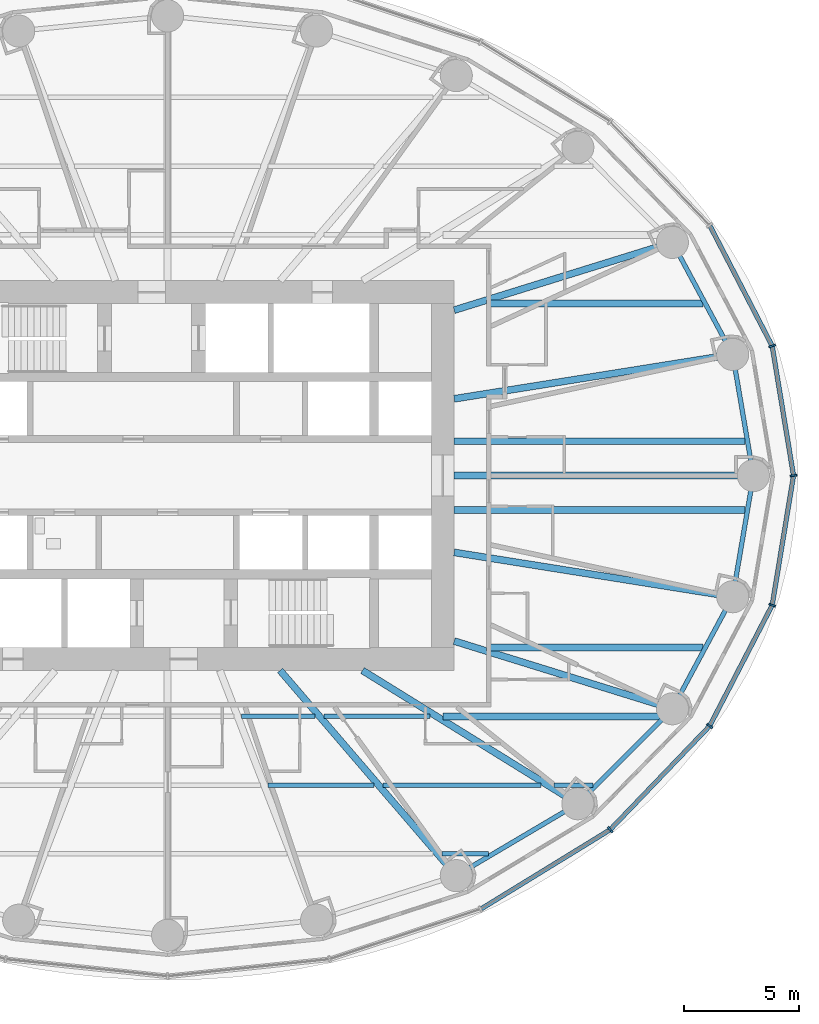
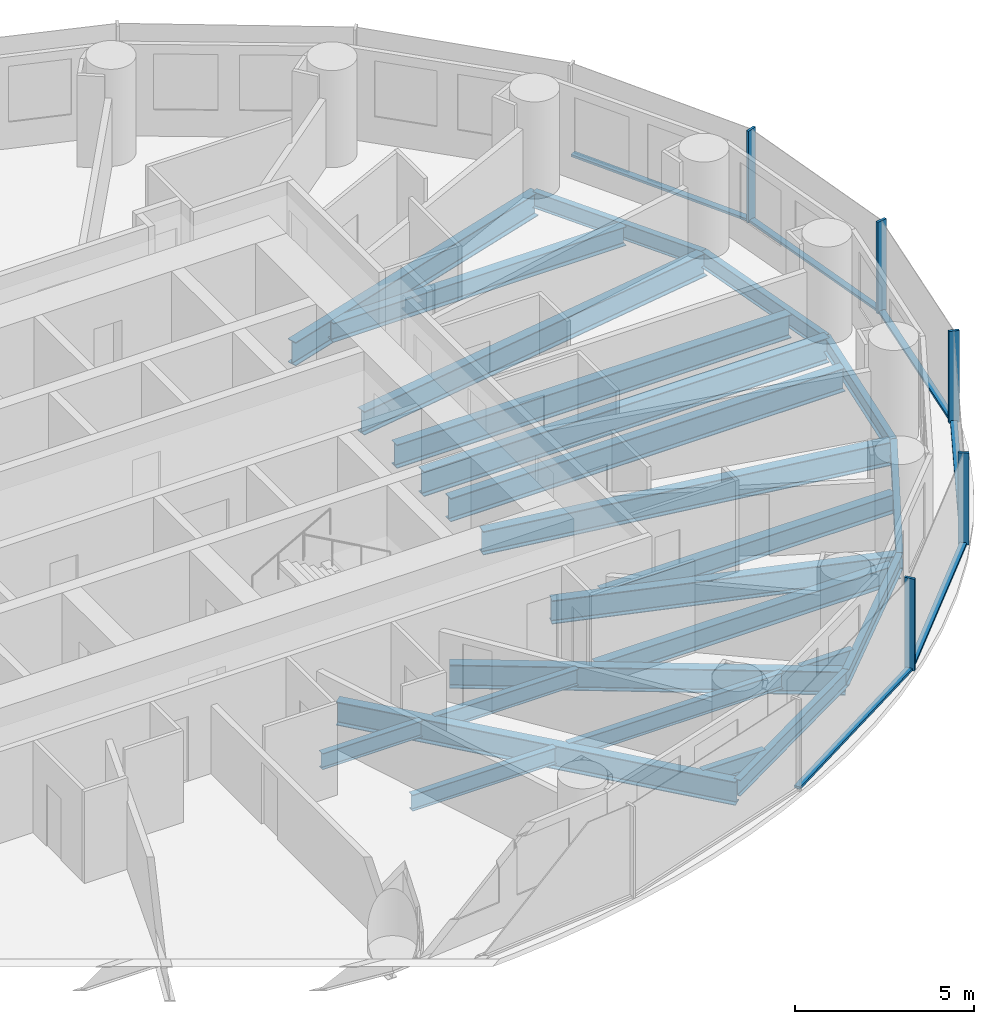
# One storey, part 3 of 16: 24 beams, 11 members, 2 elements without a shape of their own.
"""IFC4 building model written with IfcOpenShell, lengths in metres."""

from ifc_helpers import new_model, si_unit, direction, frame, origin, origin_2d, place, context, subcontext, project, spatial, rectangle, i_section, extrude, material, material_profile, profile_set, type_object, element, aggregate, save


model = new_model("IFC4")

# Units and contexts
model_context = context("Model", 3, precision=1e-05, world=origin(), true_north=direction((0.0, 1.0)))
body_context = subcontext(model_context, "Body", "Model", "MODEL_VIEW")
ifc_project = project(units=[si_unit("LENGTHUNIT", "METRE"), si_unit("AREAUNIT", "SQUARE_METRE"), si_unit("VOLUMEUNIT", "CUBIC_METRE"), si_unit("PLANEANGLEUNIT", "RADIAN"), si_unit("MASSUNIT", "GRAM", prefix="KILO")], contexts=[model_context])

# Site, building, storey
site_placement = place(None, origin())
site = spatial("IfcSite", under=ifc_project, at=site_placement, CompositionType="ELEMENT")
building_placement = place(site_placement, origin())
building = spatial("IfcBuilding", under=site, at=building_placement, Name="Hankou Lantern Tower", CompositionType="ELEMENT")
storey_placement = place(building_placement, frame((0.0, 0.0, 73.800048828125)))
storey = spatial("IfcBuildingStorey", under=building, at=storey_placement, Name="L18", CompositionType="ELEMENT", Elevation=73.800048828125)

# Beams
ifc_material_1 = material(Name="Steel Q355B", Category="steel")
ifc_material_profile_1 = material_profile(ifc_material_1, i_section(OverallWidth=0.199951171875, OverallDepth=0.550048828125, WebThickness=0.010009765625, FlangeThickness=0.01611328125, FilletRadius=0.012939453125, at=origin_2d()), Name="HN550x200x10x16")
ifc_profile_set_1 = profile_set([ifc_material_profile_1], Name="Steel Q355B")
beam_type_1 = type_object("IfcBeamType", Name="EB6 RING BEAM HN550x200x10x16", PredefinedType="SPANDREL", material=ifc_profile_set_1)
beam_1_placement = place(storey_placement, frame((25.550048828125, 0.0, -0.455078125), z_axis=(-0.168489691988, 0.985703415685, 0.0), x_axis=(-0.985703415685, -0.168489691988, 0.0)))
element("IfcBeam", 1, at=beam_1_placement, inside=storey, type_object=beam_type_1, Name="Ring beam R01-R02 L18", PredefinedType="SPANDREL", context=body_context, shape_type="SweptSolid", body=[
    extrude(i_section(OverallWidth=0.199951171875, OverallDepth=0.550048828125, WebThickness=0.010009765625, FlangeThickness=0.01611328125, FilletRadius=0.012939453125, at=origin_2d()), origin(), (0.0, 0.0, 1.0), 5.35986328125),
])
beam_2_placement = place(storey_placement, frame((24.64697265625, 5.283203125, -0.455078125), z_axis=(-0.473609096023, 0.880735161194, 0.0), x_axis=(-0.880735161194, -0.473609096023, 0.0)))
element("IfcBeam", 2, at=beam_2_placement, inside=storey, type_object=beam_type_1, Name="Ring beam R02-R03 L18", PredefinedType="SPANDREL", context=body_context, shape_type="SweptSolid", body=[
    extrude(i_section(OverallWidth=0.199951171875, OverallDepth=0.550048828125, WebThickness=0.010009765625, FlangeThickness=0.01611328125, FilletRadius=0.012939453125, at=origin_2d()), origin(), (0.0, 0.0, 1.0), 5.548828125),
])
beam_3_placement = place(storey_placement, frame((12.5908203125, -17.446533203125, -0.455078125), z_axis=(0.860881533543, 0.508805449268, 0.0), x_axis=(-0.508805449268, 0.860881533543, 0.0)))
element("IfcBeam", 3, at=beam_3_placement, inside=storey, type_object=beam_type_1, Name="Ring beam R21-R22 L18", PredefinedType="SPANDREL", context=body_context, shape_type="SweptSolid", body=[
    extrude(i_section(OverallWidth=0.199951171875, OverallDepth=0.550048828125, WebThickness=0.010009765625, FlangeThickness=0.01611328125, FilletRadius=0.012939453125, at=origin_2d()), origin(), (0.0, 0.0, 1.0), 6.15771484375),
])
beam_4_placement = place(storey_placement, frame((17.891845703125, -14.3134765625, -0.455078125), z_axis=(0.705727798394, 0.708483079949, 0.0), x_axis=(-0.708483079949, 0.705727798394, 0.0)))
element("IfcBeam", 4, at=beam_4_placement, inside=storey, type_object=beam_type_1, Name="Ring beam R22-R23 L18", PredefinedType="SPANDREL", context=body_context, shape_type="SweptSolid", body=[
    extrude(i_section(OverallWidth=0.199951171875, OverallDepth=0.550048828125, WebThickness=0.010009765625, FlangeThickness=0.01611328125, FilletRadius=0.012939453125, at=origin_2d()), origin(), (0.0, 0.0, 1.0), 5.84814453125),
])
beam_5_placement = place(storey_placement, frame((22.01904296875, -10.170166015625, -0.455078125), z_axis=(0.473609096023, 0.880735161194, 0.0), x_axis=(-0.880735161194, 0.473609096023, 0.0)))
element("IfcBeam", 5, at=beam_5_placement, inside=storey, type_object=beam_type_1, Name="Ring beam R23-R24 L18", PredefinedType="SPANDREL", context=body_context, shape_type="SweptSolid", body=[
    extrude(i_section(OverallWidth=0.199951171875, OverallDepth=0.550048828125, WebThickness=0.010009765625, FlangeThickness=0.01611328125, FilletRadius=0.012939453125, at=origin_2d()), origin(), (0.0, 0.0, 1.0), 5.548828125),
])
beam_6_placement = place(storey_placement, frame((24.64697265625, -5.283203125, -0.455078125), z_axis=(0.168489691988, 0.985703415685, 0.0), x_axis=(-0.985703415685, 0.168489691988, 0.0)))
element("IfcBeam", 6, at=beam_6_placement, inside=storey, type_object=beam_type_1, Name="Ring beam R24-R01 L18", PredefinedType="SPANDREL", context=body_context, shape_type="SweptSolid", body=[
    extrude(i_section(OverallWidth=0.199951171875, OverallDepth=0.550048828125, WebThickness=0.010009765625, FlangeThickness=0.01611328125, FilletRadius=0.012939453125, at=origin_2d()), origin(), (0.0, 0.0, 1.0), 5.35986328125),
])

# Curtain wall, members
ifc_material_2 = material(Name="Glass, dark grey tinted laminated", Category="glass")
curtain_wall_type = type_object("IfcCurtainWallType", Name="CWA OUTER SKIN LOW-RISE", PredefinedType="USERDEFINED", material=ifc_material_2)
curtain_wall_1_placement = place(storey_placement, origin())
curtain_wall_1 = element("IfcCurtainWall", 7, at=curtain_wall_1_placement, inside=storey, type_object=curtain_wall_type, Name="CWA L18 OS1", ObjectType="OUTER SKIN LOW-RISE", PredefinedType="USERDEFINED")
ifc_material_3 = material(Name="Aluminium, black anodised", Category="aluminium")
ifc_material_profile_2 = material_profile(ifc_material_3, rectangle(XDim=0.080078125, YDim=0.300048828125, at=origin_2d()), Name="MU1 80X300")
ifc_profile_set_2 = profile_set([ifc_material_profile_2], Name="Aluminium, black anodised")
member_type_1 = type_object("IfcMemberType", Name="MU1 OUTER SKIN MULLION 80X300", PredefinedType="MULLION", material=ifc_profile_set_2)
member_1_placement = place(storey_placement, frame((27.300048828125, 0.0, 0.0), z_axis=(0.0, 0.0, 1.0), x_axis=(-0.162381515188, 0.986728049427, 0.0)))
member_1 = element("IfcMember", 8, at=member_1_placement, type_object=member_type_1, Name="CWA mullion 1", PredefinedType="MULLION", context=body_context, shape_type="SweptSolid", body=[
    extrude(rectangle(XDim=0.080078125, YDim=0.300048828125, at=origin_2d()), origin(), (0.0, 0.0, 1.0), 3.119873046875),
])
member_2_placement = place(storey_placement, frame((26.369873046875, 5.652587890625, 0.0), z_axis=(0.0, 0.0, 1.0), x_axis=(-0.317595577365, 0.94822626479, 0.0)))
member_2 = element("IfcMember", 9, at=member_2_placement, type_object=member_type_1, Name="CWA mullion 2", PredefinedType="MULLION", context=body_context, shape_type="SweptSolid", body=[
    extrude(rectangle(XDim=0.080078125, YDim=0.300048828125, at=origin_2d()), origin(), (0.0, 0.0, 1.0), 3.119873046875),
])

curtain_wall_2_placement = place(storey_placement, origin())
curtain_wall_2 = element("IfcCurtainWall", 10, at=curtain_wall_2_placement, inside=storey, type_object=curtain_wall_type, Name="CWA L18 OS4", ObjectType="OUTER SKIN LOW-RISE", PredefinedType="USERDEFINED")
member_3_placement = place(storey_placement, frame((19.303955078125, -15.443115234375, 0.0), z_axis=(0.0, 0.0, 1.0), x_axis=(0.780868809444, 0.624695047553, 0.0)))
member_3 = element("IfcMember", 11, at=member_3_placement, type_object=member_type_1, Name="CWA mullion 4", PredefinedType="MULLION", context=body_context, shape_type="SweptSolid", body=[
    extrude(rectangle(XDim=0.080078125, YDim=0.300048828125, at=origin_2d()), origin(), (0.0, 0.0, 1.0), 3.119873046875),
])
member_4_placement = place(storey_placement, frame((23.642578125, -10.919921875, 0.0), z_axis=(0.0, 0.0, 1.0), x_axis=(0.585205735974, 0.810884854084, 0.0)))
member_4 = element("IfcMember", 12, at=member_4_placement, type_object=member_type_1, Name="CWA mullion 5", PredefinedType="MULLION", context=body_context, shape_type="SweptSolid", body=[
    extrude(rectangle(XDim=0.080078125, YDim=0.300048828125, at=origin_2d()), origin(), (0.0, 0.0, 1.0), 3.119873046875),
])
member_5_placement = place(storey_placement, frame((26.369873046875, -5.652587890625, 0.0), z_axis=(0.0, 0.0, 1.0), x_axis=(0.317595577365, 0.94822626479, 0.0)))
member_5 = element("IfcMember", 13, at=member_5_placement, type_object=member_type_1, Name="CWA mullion 6", PredefinedType="MULLION", context=body_context, shape_type="SweptSolid", body=[
    extrude(rectangle(XDim=0.080078125, YDim=0.300048828125, at=origin_2d()), origin(), (0.0, 0.0, 1.0), 3.119873046875),
])

# Beams
ifc_material_4 = material(Name="Steel Q355B", Category="steel")
ifc_material_profile_3 = material_profile(ifc_material_4, i_section(OverallWidth=0.300048828125, OverallDepth=0.800048828125, WebThickness=0.013916015625, FlangeThickness=0.02587890625, FilletRadius=0.01806640625, at=origin_2d()), Name="HN800x300x14x26")
ifc_profile_set_3 = profile_set([ifc_material_profile_3], Name="Steel Q355B")
beam_type_2 = type_object("IfcBeamType", Name="RB11 RADIAL BEAM HN800x300x14x26", PredefinedType="BEAM", material=ifc_profile_set_3)
beam_7_placement = place(storey_placement, frame((12.5, 3.349365234375, -0.580078125), z_axis=(0.987563081343, 0.157223281893, 0.0), x_axis=(-0.157223281893, 0.987563081343, 0.0)))
element("IfcBeam", 14, at=beam_7_placement, inside=storey, type_object=beam_type_2, Name="Radial beam R02 L18", PredefinedType="BEAM", context=body_context, shape_type="SweptSolid", body=[
    extrude(i_section(OverallWidth=0.300048828125, OverallDepth=0.800048828125, WebThickness=0.013916015625, FlangeThickness=0.02587890625, FilletRadius=0.01806640625, at=origin_2d()), origin(), (0.0, 0.0, 1.0), 12.300048828125),
])
beam_8_placement = place(storey_placement, frame((12.5, 7.216796875, -0.580078125), z_axis=(0.955087327755, 0.29632447817, 0.0), x_axis=(-0.29632447817, 0.955087327755, 0.0)))
element("IfcBeam", 15, at=beam_8_placement, inside=storey, type_object=beam_type_2, Name="Radial beam R03 L18", PredefinedType="BEAM", context=body_context, shape_type="SweptSolid", body=[
    extrude(i_section(OverallWidth=0.300048828125, OverallDepth=0.800048828125, WebThickness=0.013916015625, FlangeThickness=0.02587890625, FilletRadius=0.01806640625, at=origin_2d()), origin(), (0.0, 0.0, 1.0), 9.966552734375),
])
beam_9_placement = place(storey_placement, frame((4.907470703125, -8.5, -0.580078125), z_axis=(0.651519061225, -0.758632264579, 0.0), x_axis=(0.758632264579, 0.651519061225, 0.0)))
element("IfcBeam", 16, at=beam_9_placement, inside=storey, type_object=beam_type_2, Name="Radial beam R21 L18", PredefinedType="BEAM", context=body_context, shape_type="SweptSolid", body=[
    extrude(i_section(OverallWidth=0.300048828125, OverallDepth=0.800048828125, WebThickness=0.013916015625, FlangeThickness=0.02587890625, FilletRadius=0.01806640625, at=origin_2d()), origin(), (0.0, 0.0, 1.0), 11.79296875),
])
beam_10_placement = place(storey_placement, frame((8.5, -8.5, -0.580078125), z_axis=(0.850286343288, -0.526320372414, 0.0), x_axis=(0.526320372414, 0.850286343288, 0.0)))
element("IfcBeam", 17, at=beam_10_placement, inside=storey, type_object=beam_type_2, Name="Radial beam R22 L18", PredefinedType="BEAM", context=body_context, shape_type="SweptSolid", body=[
    extrude(i_section(OverallWidth=0.300048828125, OverallDepth=0.800048828125, WebThickness=0.013916015625, FlangeThickness=0.02587890625, FilletRadius=0.01806640625, at=origin_2d()), origin(), (0.0, 0.0, 1.0), 11.04541015625),
])
beam_11_placement = place(storey_placement, frame((12.5, -7.216796875, -0.580078125), z_axis=(0.955087327755, -0.29632447817, 0.0), x_axis=(0.29632447817, 0.955087327755, 0.0)))
element("IfcBeam", 18, at=beam_11_placement, inside=storey, type_object=beam_type_2, Name="Radial beam R23 L18", PredefinedType="BEAM", context=body_context, shape_type="SweptSolid", body=[
    extrude(i_section(OverallWidth=0.300048828125, OverallDepth=0.800048828125, WebThickness=0.013916015625, FlangeThickness=0.02587890625, FilletRadius=0.01806640625, at=origin_2d()), origin(), (0.0, 0.0, 1.0), 9.966552734375),
])
beam_12_placement = place(storey_placement, frame((12.5, -3.349365234375, -0.580078125), z_axis=(0.987563081343, -0.157223281893, 0.0), x_axis=(0.157223281893, 0.987563081343, 0.0)))
element("IfcBeam", 19, at=beam_12_placement, inside=storey, type_object=beam_type_2, Name="Radial beam R24 L18", PredefinedType="BEAM", context=body_context, shape_type="SweptSolid", body=[
    extrude(i_section(OverallWidth=0.300048828125, OverallDepth=0.800048828125, WebThickness=0.013916015625, FlangeThickness=0.02587890625, FilletRadius=0.01806640625, at=origin_2d()), origin(), (0.0, 0.0, 1.0), 12.300048828125),
])
ifc_material_5 = material(Name="Steel Q355B", Category="steel")
ifc_material_profile_4 = material_profile(ifc_material_5, i_section(OverallWidth=0.300048828125, OverallDepth=0.85009765625, WebThickness=0.01611328125, FlangeThickness=0.027099609375, FilletRadius=0.01806640625, at=origin_2d()), Name="HN850x300x16x27")
ifc_profile_set_4 = profile_set([ifc_material_profile_4], Name="Steel Q355B")
beam_type_3 = type_object("IfcBeamType", Name="RB12 RADIAL BEAM HN850x300x16x27", PredefinedType="BEAM", material=ifc_profile_set_4)
beam_13_placement = place(storey_placement, frame((12.5, 0.0, -0.60498046875), z_axis=(1.0, 0.0, 0.0), x_axis=(0.0, 1.0, 0.0)))
element("IfcBeam", 20, at=beam_13_placement, inside=storey, type_object=beam_type_3, Name="Radial beam R01 L18", PredefinedType="BEAM", context=body_context, shape_type="SweptSolid", body=[
    extrude(i_section(OverallWidth=0.300048828125, OverallDepth=0.85009765625, WebThickness=0.01611328125, FlangeThickness=0.027099609375, FilletRadius=0.01806640625, at=origin_2d()), origin(), (0.0, 0.0, 1.0), 13.050048828125),
])
ifc_material_6 = material(Name="Steel Q355B", Category="steel")
ifc_material_profile_5 = material_profile(ifc_material_6, i_section(OverallWidth=0.300048828125, OverallDepth=0.800048828125, WebThickness=0.013916015625, FlangeThickness=0.02587890625, FilletRadius=0.01806640625, at=origin_2d()), Name="HN800x300x14x26")
ifc_profile_set_5 = profile_set([ifc_material_profile_5], Name="Steel Q355B")
beam_type_4 = type_object("IfcBeamType", Name="SB11 SECONDARY BEAM HN800x300x14x26", PredefinedType="JOIST", material=ifc_profile_set_5)
for number, where, z_axis, x_axis, name in (
    (21, (12.5, -1.5, -0.580078125), (1.0, 0.0, 0.0), (0.0, 1.0, 0.0), "Floor joist J030 L18"),
    (22, (12.5, 1.5, -0.580078125), (1.0, 0.0, 0.0), (0.0, 1.0, 0.0), "Floor joist J032 L18"),
):
    element("IfcBeam", number, at=place(storey_placement, frame(where, z_axis=z_axis, x_axis=x_axis)), inside=storey, type_object=beam_type_4, Name=name, PredefinedType="JOIST", context=body_context, shape_type="SweptSolid", body=[
        extrude(i_section(OverallWidth=0.300048828125, OverallDepth=0.800048828125, WebThickness=0.013916015625, FlangeThickness=0.02587890625, FilletRadius=0.01806640625, at=origin_2d()), origin(), (0.0, 0.0, 1.0), 12.692138671875),
    ])
ifc_material_7 = material(Name="Steel Q355B", Category="steel")
ifc_material_profile_6 = material_profile(ifc_material_7, i_section(OverallWidth=0.199951171875, OverallDepth=0.550048828125, WebThickness=0.010009765625, FlangeThickness=0.01611328125, FilletRadius=0.012939453125, at=origin_2d()), Name="HN550x200x10x16")
ifc_profile_set_6 = profile_set([ifc_material_profile_6], Name="Steel Q355B")
beam_type_5 = type_object("IfcBeamType", Name="SB6 SECONDARY BEAM HN550x200x10x16", PredefinedType="JOIST", material=ifc_profile_set_6)
beam_14_placement = place(storey_placement, frame((11.975830078125, -16.5, -0.455078125), z_axis=(1.0, 0.0, 0.0), x_axis=(0.0, 1.0, 0.0)))
element("IfcBeam", 23, at=beam_14_placement, inside=storey, type_object=beam_type_5, Name="Floor joist J006 L18", PredefinedType="JOIST", context=body_context, shape_type="SweptSolid", body=[
    extrude(i_section(OverallWidth=0.199951171875, OverallDepth=0.550048828125, WebThickness=0.010009765625, FlangeThickness=0.01611328125, FilletRadius=0.012939453125, at=origin_2d()), origin(), (0.0, 0.0, 1.0), 2.019775390625),
])
beam_15_placement = place(storey_placement, frame((4.37451171875, -13.5, -0.455078125), z_axis=(1.0, 0.0, 0.0), x_axis=(0.0, 1.0, 0.0)))
element("IfcBeam", 24, at=beam_15_placement, inside=storey, type_object=beam_type_5, Name="Floor joist J012 L18", PredefinedType="JOIST", context=body_context, shape_type="SweptSolid", body=[
    extrude(i_section(OverallWidth=0.199951171875, OverallDepth=0.550048828125, WebThickness=0.010009765625, FlangeThickness=0.01611328125, FilletRadius=0.012939453125, at=origin_2d()), origin(), (0.0, 0.0, 1.0), 4.62939453125),
])
beam_16_placement = place(storey_placement, frame((9.3994140625, -13.5, -0.455078125), z_axis=(1.0, 0.0, 0.0), x_axis=(0.0, 1.0, 0.0)))
element("IfcBeam", 25, at=beam_16_placement, inside=storey, type_object=beam_type_5, Name="Floor joist J013 L18", PredefinedType="JOIST", context=body_context, shape_type="SweptSolid", body=[
    extrude(i_section(OverallWidth=0.199951171875, OverallDepth=0.550048828125, WebThickness=0.010009765625, FlangeThickness=0.01611328125, FilletRadius=0.012939453125, at=origin_2d()), origin(), (0.0, 0.0, 1.0), 6.893310546875),
])
beam_17_placement = place(storey_placement, frame((16.86279296875, -13.5, -0.455078125), z_axis=(1.0, 0.0, 0.0), x_axis=(0.0, 1.0, 0.0)))
element("IfcBeam", 26, at=beam_17_placement, inside=storey, type_object=beam_type_5, Name="Floor joist J014 L18", PredefinedType="JOIST", context=body_context, shape_type="SweptSolid", body=[
    extrude(i_section(OverallWidth=0.199951171875, OverallDepth=0.550048828125, WebThickness=0.010009765625, FlangeThickness=0.01611328125, FilletRadius=0.012939453125, at=origin_2d()), origin(), (0.0, 0.0, 1.0), 1.697998046875),
])
beam_18_placement = place(storey_placement, frame((3.212890625, -10.5, -0.455078125), z_axis=(1.0, 0.0, 0.0), x_axis=(0.0, 1.0, 0.0)))
element("IfcBeam", 27, at=beam_18_placement, inside=storey, type_object=beam_type_5, Name="Floor joist J020 L18", PredefinedType="JOIST", context=body_context, shape_type="SweptSolid", body=[
    extrude(i_section(OverallWidth=0.199951171875, OverallDepth=0.550048828125, WebThickness=0.010009765625, FlangeThickness=0.01611328125, FilletRadius=0.012939453125, at=origin_2d()), origin(), (0.0, 0.0, 1.0), 3.214599609375),
])
beam_19_placement = place(storey_placement, frame((6.82275390625, -10.5, -0.455078125), z_axis=(1.0, 0.0, 0.0), x_axis=(0.0, 1.0, 0.0)))
element("IfcBeam", 28, at=beam_19_placement, inside=storey, type_object=beam_type_5, Name="Floor joist J021 L18", PredefinedType="JOIST", context=body_context, shape_type="SweptSolid", body=[
    extrude(i_section(OverallWidth=0.199951171875, OverallDepth=0.550048828125, WebThickness=0.010009765625, FlangeThickness=0.01611328125, FilletRadius=0.012939453125, at=origin_2d()), origin(), (0.0, 0.0, 1.0), 4.623291015625),
])
ifc_material_8 = material(Name="Steel Q355B", Category="steel")
ifc_material_profile_7 = material_profile(ifc_material_8, i_section(OverallWidth=0.300048828125, OverallDepth=0.64990234375, WebThickness=0.010986328125, FlangeThickness=0.01708984375, FilletRadius=0.01806640625, at=origin_2d()), Name="HN650x300x11x17")
ifc_profile_set_7 = profile_set([ifc_material_profile_7], Name="Steel Q355B")
beam_type_6 = type_object("IfcBeamType", Name="SB8 SECONDARY BEAM HN650x300x11x17", PredefinedType="JOIST", material=ifc_profile_set_7)
beam_20_placement = place(storey_placement, frame((12.01611328125, -10.5, -0.505126953125), z_axis=(1.0, 0.0, 0.0), x_axis=(0.0, 1.0, 0.0)))
element("IfcBeam", 29, at=beam_20_placement, inside=storey, type_object=beam_type_6, Name="Floor joist J022 L18", PredefinedType="JOIST", context=body_context, shape_type="SweptSolid", body=[
    extrude(i_section(OverallWidth=0.300048828125, OverallDepth=0.64990234375, WebThickness=0.010986328125, FlangeThickness=0.01708984375, FilletRadius=0.01806640625, at=origin_2d()), origin(), (0.0, 0.0, 1.0), 9.533203125),
])
for number, where, z_axis, x_axis, name in (
    (30, (13.918701171875, -7.5, -0.505126953125), (1.0, 0.0, 0.0), (0.0, 1.0, 0.0), "Floor joist J024 L18"),
    (31, (13.918701171875, 7.5, -0.505126953125), (1.0, 0.0, 0.0), (0.0, 1.0, 0.0), "Floor joist J038 L18"),
):
    element("IfcBeam", number, at=place(storey_placement, frame(where, z_axis=z_axis, x_axis=x_axis)), inside=storey, type_object=beam_type_6, Name=name, PredefinedType="JOIST", context=body_context, shape_type="SweptSolid", body=[
        extrude(i_section(OverallWidth=0.300048828125, OverallDepth=0.64990234375, WebThickness=0.010986328125, FlangeThickness=0.01708984375, FilletRadius=0.01806640625, at=origin_2d()), origin(), (0.0, 0.0, 1.0), 9.4228515625),
    ])

# Member
ifc_material_9 = material(Name="Aluminium, black anodised", Category="aluminium")
ifc_material_profile_8 = material_profile(ifc_material_9, rectangle(XDim=0.199951171875, YDim=0.080078125, at=origin_2d()), Name="TR1 200X80")
ifc_profile_set_8 = profile_set([ifc_material_profile_8], Name="Aluminium, black anodised")
member_type_2 = type_object("IfcMemberType", Name="TR1 OUTER SKIN TRANSOM 200X80", PredefinedType="USERDEFINED", material=ifc_profile_set_8)
member_6_placement = place(storey_placement, frame((27.29345703125, 0.03955078125, 0.0400390625), z_axis=(-0.162387045529, 0.986727139307, 0.0), x_axis=(-0.986727139307, -0.162387045529, 0.0)))
member_6 = element("IfcMember", 32, at=member_6_placement, type_object=member_type_2, Name="CWA transom 1", ObjectType="TRANSOM", PredefinedType="USERDEFINED", context=body_context, shape_type="SweptSolid", body=[
    extrude(rectangle(XDim=0.199951171875, YDim=0.080078125, at=origin_2d()), origin(), (0.0, 0.0, 1.0), 5.6484375),
])

member_7_placement = place(storey_placement, frame((26.351318359375, 5.688232421875, 0.0400390625), z_axis=(-0.459786096495, 0.888029698529, 0.0), x_axis=(-0.888029698529, -0.459786096495, 0.0)))
member_7 = element("IfcMember", 33, at=member_7_placement, type_object=member_type_2, Name="CWA transom 2", ObjectType="TRANSOM", PredefinedType="USERDEFINED", context=body_context, shape_type="SweptSolid", body=[
    extrude(rectangle(XDim=0.199951171875, YDim=0.080078125, at=origin_2d()), origin(), (0.0, 0.0, 1.0), 5.8515625),
])

aggregate(curtain_wall_1, [member_1, member_2, member_6, member_7])

member_8_placement = place(storey_placement, frame((13.68408203125, -18.89306640625, 0.0400390625), z_axis=(0.85223969557, 0.523151508929, 0.0), x_axis=(-0.523151508929, 0.85223969557, 0.0)))
member_8 = element("IfcMember", 34, at=member_8_placement, type_object=member_type_2, Name="CWA transom 3", ObjectType="TRANSOM", PredefinedType="USERDEFINED", context=body_context, shape_type="SweptSolid", body=[
    extrude(rectangle(XDim=0.199951171875, YDim=0.080078125, at=origin_2d()), origin(), (0.0, 0.0, 1.0), 6.554443359375),
])

member_9_placement = place(storey_placement, frame((19.331787109375, -15.414306640625, 0.0400390625), z_axis=(0.692215537374, 0.721690827029, 0.0), x_axis=(-0.721690827029, 0.692215537374, 0.0)))
member_9 = element("IfcMember", 35, at=member_9_placement, type_object=member_type_2, Name="CWA transom 4", ObjectType="TRANSOM", PredefinedType="USERDEFINED", context=body_context, shape_type="SweptSolid", body=[
    extrude(rectangle(XDim=0.199951171875, YDim=0.080078125, at=origin_2d()), origin(), (0.0, 0.0, 1.0), 6.187255859375),
])

member_10_placement = place(storey_placement, frame((23.660888671875, -10.884521484375, 0.0400390625), z_axis=(0.459786096495, 0.888029698529, 0.0), x_axis=(-0.888029698529, 0.459786096495, 0.0)))
member_10 = element("IfcMember", 36, at=member_10_placement, type_object=member_type_2, Name="CWA transom 5", ObjectType="TRANSOM", PredefinedType="USERDEFINED", context=body_context, shape_type="SweptSolid", body=[
    extrude(rectangle(XDim=0.199951171875, YDim=0.080078125, at=origin_2d()), origin(), (0.0, 0.0, 1.0), 5.8515625),
])

member_11_placement = place(storey_placement, frame((26.376220703125, -5.613037109375, 0.0400390625), z_axis=(0.162387045529, 0.986727139307, 0.0), x_axis=(-0.986727139307, 0.162387045529, 0.0)))
member_11 = element("IfcMember", 37, at=member_11_placement, type_object=member_type_2, Name="CWA transom 6", ObjectType="TRANSOM", PredefinedType="USERDEFINED", context=body_context, shape_type="SweptSolid", body=[
    extrude(rectangle(XDim=0.199951171875, YDim=0.080078125, at=origin_2d()), origin(), (0.0, 0.0, 1.0), 5.6484375),
])

aggregate(curtain_wall_2, [member_3, member_4, member_5, member_8, member_9, member_10, member_11])

save(model, "model.ifc")
